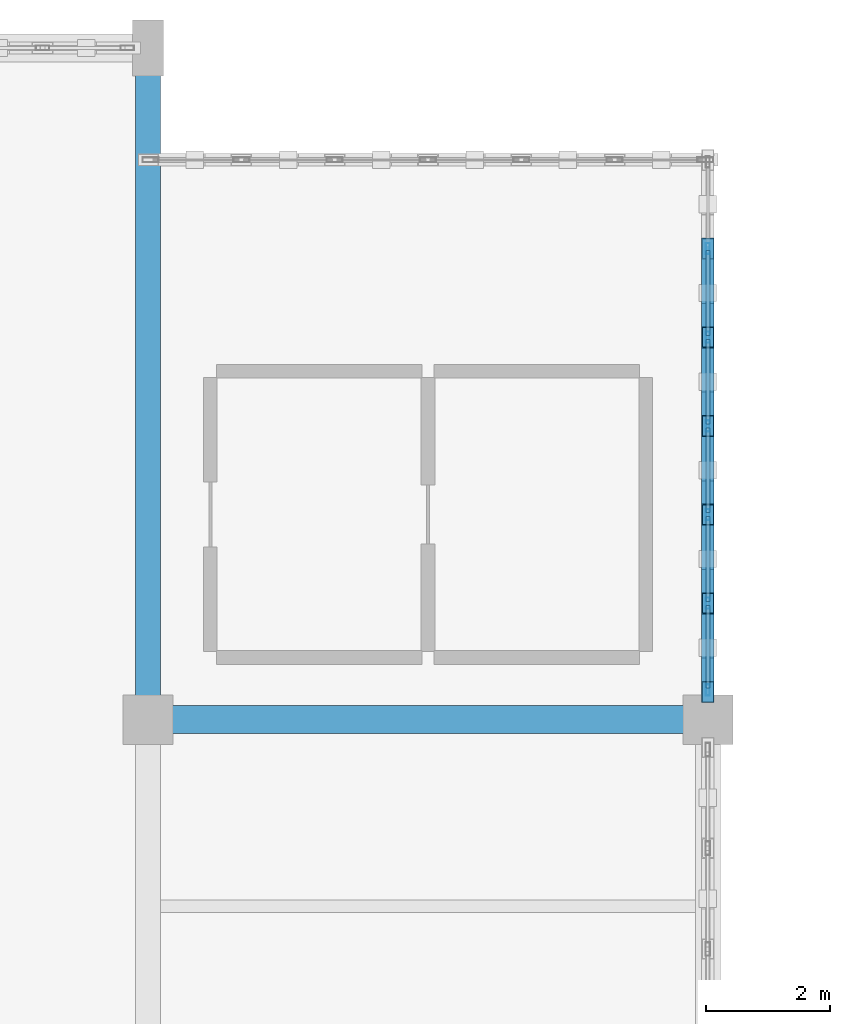
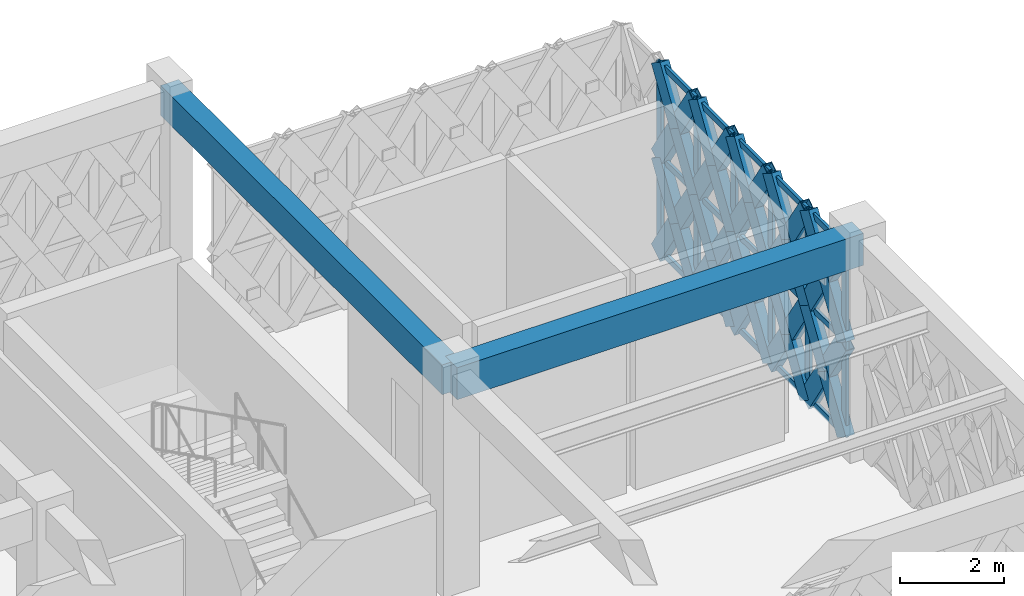
# One storey, part 42 of 86: 51 members, 2 beams, 1 element without a shape of its own.
"""IFC4 building model written with IfcOpenShell, lengths in metres."""

import ifcopenshell
import ifcopenshell.guid

model = None  # the IFC model being written
_history = None  # IfcOwnerHistory: only IFC2X3 demands one
_inside = {}  # id of a spatial element -> (the spatial element, [elements in it])
_under = {}  # id of a project, library or spatial element -> (it, [spatial elements below it])
_declared = {}  # id of a project -> (the project, [libraries it declares])
_typed = {}  # id of a type object -> (the type object, [elements of that type])
_made_of = {}  # id of a material, layer set ... -> (it, [elements and type objects made of it])


def new_model(schema):
    """Start an empty IFC model of exactly this schema.

    Asked for "IFC4X3", IfcOpenShell would pick the latest addendum, in which some entities
    have other attributes; the version numbers below select the first issue.
    IFC2X3 requires an IfcOwnerHistory on every rooted entity: one is made here for all.
    """
    global model, _history
    if schema == "IFC4X3":
        model = ifcopenshell.file(schema_version=(4, 3, 0, 0))
    else:
        model = ifcopenshell.file(schema=schema)
    _inside.clear()
    _under.clear()
    _declared.clear()
    _typed.clear()
    _made_of.clear()
    _history = None
    if model.schema == "IFC2X3":
        org = make("IfcOrganization", Name="unknown")
        user = make(
            "IfcPersonAndOrganization",
            ThePerson=make("IfcPerson", FamilyName="unknown"),
            TheOrganization=org,
        )
        app = make(
            "IfcApplication",
            ApplicationDeveloper=org,
            Version="unknown",
            ApplicationFullName="unknown",
            ApplicationIdentifier="unknown",
        )
        _history = make(
            "IfcOwnerHistory",
            OwningUser=user,
            OwningApplication=app,
            ChangeAction="ADDED",
            CreationDate=0,
        )
    return model


def make(cls, **values):
    """One entity of the class cls with the attributes given. An attribute that is None is left unset."""
    return model.create_entity(
        cls, **{name: value for name, value in values.items() if value is not None}
    )


def rooted(cls, **values):
    """An entity with a GlobalId (a new one), such as an element, a storey or a relation."""
    return make(cls, GlobalId=ifcopenshell.guid.new(), OwnerHistory=_history, **values)


def si_unit(unit_type, name, prefix=None):
    """IfcSIUnit, for example si_unit("LENGTHUNIT", "METRE", prefix="MILLI")."""
    return make("IfcSIUnit", UnitType=unit_type, Prefix=prefix, Name=name)


def assignment(units):
    """IfcUnitAssignment: the units of a project."""
    return None if units is None else make("IfcUnitAssignment", Units=units)


def point(xyz):
    """IfcCartesianPoint."""
    return None if xyz is None else make("IfcCartesianPoint", Coordinates=xyz)


def direction(xyz):
    """IfcDirection."""
    return None if xyz is None else make("IfcDirection", DirectionRatios=xyz)


def frame(location, z_axis=None, x_axis=None):
    """IfcAxis2Placement3D, a coordinate frame: its origin and axes. An axis left out is left unset."""
    return make(
        "IfcAxis2Placement3D",
        Location=point(location),
        Axis=direction(z_axis),
        RefDirection=direction(x_axis),
    )


def frame_2d(location, x_axis=None):
    """IfcAxis2Placement2D, a coordinate frame in the plane: its origin and x axis."""
    return make(
        "IfcAxis2Placement2D", Location=point(location), RefDirection=direction(x_axis)
    )


def origin():
    """The frame at (0, 0, 0) with its axes left unset."""
    return frame((0.0, 0.0, 0.0))


def origin_2d():
    """The frame at (0, 0) in the plane with its x axis left unset."""
    return frame_2d((0.0, 0.0))


def place(relative_to, where):
    """IfcLocalPlacement: puts the frame where relative to a parent placement (None: the world)."""
    return make(
        "IfcLocalPlacement", PlacementRelTo=relative_to, RelativePlacement=where
    )


def context(
    kind, dimensions, precision=None, world=None, true_north=None, identifier=None
):
    """IfcGeometricRepresentationContext, for example the 3D "Model" context."""
    return make(
        "IfcGeometricRepresentationContext",
        ContextIdentifier=identifier,
        ContextType=kind,
        CoordinateSpaceDimension=dimensions,
        Precision=precision,
        WorldCoordinateSystem=world,
        TrueNorth=true_north,
    )


def subcontext(parent, identifier, kind, view, scale=None):
    """IfcGeometricRepresentationSubContext, for example "Body" below "Model"."""
    return make(
        "IfcGeometricRepresentationSubContext",
        ContextIdentifier=identifier,
        ContextType=kind,
        ParentContext=parent,
        TargetScale=scale,
        TargetView=view,
    )


def project(units=None, contexts=None):
    """IfcProject with its units and contexts."""
    return rooted(
        "IfcProject",
        Name="project",
        RepresentationContexts=contexts,
        UnitsInContext=assignment(units),
    )


def spatial(cls, under=None, at=None, **own):
    """A site, building, storey or space (cls), placed at a placement, below another one or the project."""
    s = rooted(cls, ObjectPlacement=at, **own)
    if under is not None:
        _under.setdefault(under.id(), (under, []))[1].append(s)
    return s


def profile(cls, at=None, kind="AREA", **sizes):
    """A parametric profile (cls). Its sizes go by their IFC names, for example OverallWidth=200.0."""
    return make(cls, ProfileType=kind, Position=at, **sizes)


def rectangle(**sizes):
    """IfcRectangleProfileDef."""
    return profile("IfcRectangleProfileDef", **sizes)


def hollow_rectangle(**sizes):
    """IfcRectangleHollowProfileDef."""
    return profile("IfcRectangleHollowProfileDef", **sizes)


def extrude(swept, where, along, depth):
    """IfcExtrudedAreaSolid: the profile swept, set in the frame where, extruded along a direction by depth."""
    return make(
        "IfcExtrudedAreaSolid",
        SweptArea=swept,
        Position=where,
        ExtrudedDirection=direction(along),
        Depth=depth,
    )


def shape(context_of_items, identifier, shape_type, items):
    """IfcShapeRepresentation: the items that make up one representation, for example the "Body"."""
    return make(
        "IfcShapeRepresentation",
        ContextOfItems=context_of_items,
        RepresentationIdentifier=identifier,
        RepresentationType=shape_type,
        Items=items,
    )


def material(Name=None, Category=None):
    """IfcMaterial."""
    return make("IfcMaterial", Name=Name, Category=Category)


def material_profile(
    of_material, cross_section, Name=None, Category=None, Priority=None
):
    """IfcMaterialProfile: a cross section and its material."""
    return make(
        "IfcMaterialProfile",
        Name=Name,
        Material=of_material,
        Profile=cross_section,
        Priority=Priority,
        Category=Category,
    )


def profile_set(profiles, Name=None, composite=None):
    """IfcMaterialProfileSet."""
    return make(
        "IfcMaterialProfileSet",
        Name=Name,
        MaterialProfiles=profiles,
        CompositeProfile=composite,
    )


def made_of(thing, what):
    """Note that an element or type object is made of a material, layer set ...; save() writes the relation."""
    if what is not None:
        _made_of.setdefault(what.id(), (what, []))[1].append(thing)
    return thing


def type_object(cls, material=None, **own):
    """A type object (cls), such as IfcWallType, which elements share."""
    return made_of(rooted(cls, **own), material)


def element(
    cls,
    number,
    at=None,
    inside=None,
    cuts=None,
    type_object=None,
    material=None,
    context=None,
    identifier="Body",
    shape_type=None,
    held_by="IfcProductDefinitionShape",
    body=None,
    shapes=None,
    **own,
):
    """One element of the class cls, such as IfcWall. Its Tag is "e" and its number.

    at: its placement. inside: the storey or other place that contains it. cuts: it is an
    opening in that element (IfcRelVoidsElement). A single representation is given by context,
    identifier, shape_type and body (its items); several are given by shapes. held_by: the class
    of the entity that holds the representations. save() writes the other relations.
    """
    e = rooted(cls, Tag="e%d" % number, ObjectPlacement=at, **own)
    if body is not None:
        shapes = [shape(context, identifier, shape_type, body)]
    if shapes is not None:
        e.Representation = make(held_by, Representations=shapes)
    if inside is not None:
        _inside.setdefault(inside.id(), (inside, []))[1].append(e)
    if cuts is not None:
        rooted(
            "IfcRelVoidsElement", RelatingBuildingElement=cuts, RelatedOpeningElement=e
        )
    if type_object is not None:
        _typed.setdefault(type_object.id(), (type_object, []))[1].append(e)
    return made_of(e, material)


def aggregate(whole, parts):
    """IfcRelAggregates: a whole, such as a stair, and the parts it consists of."""
    return rooted("IfcRelAggregates", RelatingObject=whole, RelatedObjects=parts)


def save(model, path):
    """Write the relations noted so far, then the file.

    IfcRelAggregates (storeys below a building ...), IfcRelContainedInSpatialStructure (elements
    in a storey), IfcRelDefinesByType, IfcRelAssociatesMaterial and IfcRelDeclares: one each for
    every whole, place, type object, material and project.
    """
    for whole, parts in _under.values():
        aggregate(whole, parts)
    for where, things in _inside.values():
        rooted(
            "IfcRelContainedInSpatialStructure",
            RelatedElements=things,
            RelatingStructure=where,
        )
    for kind, things in _typed.values():
        rooted("IfcRelDefinesByType", RelatedObjects=things, RelatingType=kind)
    for what, things in _made_of.values():
        rooted("IfcRelAssociatesMaterial", RelatedObjects=things, RelatingMaterial=what)
    for by, libraries in _declared.values():
        rooted("IfcRelDeclares", RelatingContext=by, RelatedDefinitions=libraries)
    model.write(path)


model = new_model("IFC4")

# Units and contexts
model_context = context("Model", 3, precision=1e-05, world=origin(), true_north=direction((0.0, 1.0)))
body_context = subcontext(model_context, "Body", "Model", "MODEL_VIEW")
ifc_project = project(units=[si_unit("LENGTHUNIT", "METRE"), si_unit("AREAUNIT", "SQUARE_METRE"), si_unit("VOLUMEUNIT", "CUBIC_METRE"), si_unit("PLANEANGLEUNIT", "RADIAN"), si_unit("MASSUNIT", "GRAM", prefix="KILO")], contexts=[model_context])

# Site, building, storey
site_placement = place(None, origin())
site = spatial("IfcSite", under=ifc_project, at=site_placement, CompositionType="ELEMENT")
building_placement = place(site_placement, origin())
building = spatial("IfcBuilding", under=site, at=building_placement, Name="Haizhuo Lancet Aquarium", CompositionType="ELEMENT")
storey_placement = place(building_placement, frame((0.0, 0.0, 16.199951171875)))
storey = spatial("IfcBuildingStorey", under=building, at=storey_placement, Name="L03", CompositionType="ELEMENT", Elevation=16.199951171875)

# Beams
ifc_material_1 = material(Name="Concrete C40/50", Category="concrete")
ifc_material_profile_1 = material_profile(ifc_material_1, rectangle(XDim=0.39990234375, YDim=0.699951171875, at=origin_2d()), Name="RC-BM 400x700")
ifc_profile_set_1 = profile_set([ifc_material_profile_1], Name="Concrete C40/50")
beam_type_1 = type_object("IfcBeamType", Name="BM-RC-400x700", PredefinedType="BEAM", material=ifc_profile_set_1)
beam_1_placement = place(storey_placement, frame((18.0, 45.0, 4.800048828125), z_axis=(0.0, 1.0, 0.0), x_axis=(-1.0, 0.0, 0.0)))
element("IfcBeam", 1, at=beam_1_placement, inside=storey, type_object=beam_type_1, Name="L03 V5 primary girder BM-L03-V5-023", PredefinedType="BEAM", context=body_context, shape_type="SweptSolid", body=[
    extrude(rectangle(XDim=0.39990234375, YDim=0.699951171875, at=origin_2d()), origin(), (0.0, 0.0, 1.0), 10.800048828125),
])
ifc_material_profile_2 = material_profile(ifc_material_1, rectangle(XDim=0.449951171875, YDim=0.75, at=origin_2d()), Name="RC-BM 450x750")
ifc_profile_set_2 = profile_set([ifc_material_profile_2], Name="Concrete C40/50")
beam_type_2 = type_object("IfcBeamType", Name="BM-RC-450x750", PredefinedType="BEAM", material=ifc_profile_set_2)
beam_2_placement = place(storey_placement, frame((18.0, 45.0, 4.775146484375), z_axis=(1.0, 0.0, 0.0), x_axis=(0.0, 1.0, 0.0)))
element("IfcBeam", 2, at=beam_2_placement, inside=storey, type_object=beam_type_2, Name="L03 V5 primary girder BM-L03-V5-024", PredefinedType="BEAM", context=body_context, shape_type="SweptSolid", body=[
    extrude(rectangle(XDim=0.449951171875, YDim=0.75, at=origin_2d()), origin(), (0.0, 0.0, 1.0), 9.0),
])

# Curtain wall, members
ifc_material_2 = material(Name="Aluminium 6063-T6", Category="aluminium")
curtain_wall_type = type_object("IfcCurtainWallType", Name="CWD-8560x4450", PredefinedType="NOTDEFINED", material=ifc_material_2)
curtain_wall_placement = place(storey_placement, origin())
curtain_wall = element("IfcCurtainWall", 3, at=curtain_wall_placement, inside=storey, type_object=curtain_wall_type, Name="L03 curtain wall CW-V5-L03-166", PredefinedType="NOTDEFINED")
ifc_material_profile_3 = material_profile(ifc_material_2, hollow_rectangle(XDim=0.06494140625, YDim=0.179931640625, WallThickness=0.00390625, at=origin_2d()), Name="ALU-M 65x180x4")
ifc_profile_set_3 = profile_set([ifc_material_profile_3], Name="Aluminium 6063-T6")
member_type_1 = type_object("IfcMemberType", Name="CW-MUL-1", PredefinedType="MULLION", material=ifc_profile_set_3)
member_1_placement = place(storey_placement, frame((27.0, 52.573974609375, 0.0), z_axis=(0.0, 0.0, 1.0), x_axis=(1.0, 0.0, 0.0)))
member_1 = element("IfcMember", 4, at=member_1_placement, type_object=member_type_1, Name="CWD-85x44 mullion 2", PredefinedType="MULLION", context=body_context, shape_type="SweptSolid", body=[
    extrude(hollow_rectangle(XDim=0.06494140625, YDim=0.179931640625, WallThickness=0.00390625, at=origin_2d()), origin(), (0.0, 0.0, 1.0), 4.449951171875),
])
member_2_placement = place(storey_placement, frame((27.0, 51.14794921875, 0.0), z_axis=(0.0, 0.0, 1.0), x_axis=(1.0, 0.0, 0.0)))
member_2 = element("IfcMember", 5, at=member_2_placement, type_object=member_type_1, Name="CWD-85x44 mullion 3", PredefinedType="MULLION", context=body_context, shape_type="SweptSolid", body=[
    extrude(hollow_rectangle(XDim=0.06494140625, YDim=0.179931640625, WallThickness=0.00390625, at=origin_2d()), origin(), (0.0, 0.0, 1.0), 4.449951171875),
])
member_3_placement = place(storey_placement, frame((27.0, 49.721923828125, 0.0), z_axis=(0.0, 0.0, 1.0), x_axis=(1.0, 0.0, 0.0)))
member_3 = element("IfcMember", 6, at=member_3_placement, type_object=member_type_1, Name="CWD-85x44 mullion 4", PredefinedType="MULLION", context=body_context, shape_type="SweptSolid", body=[
    extrude(hollow_rectangle(XDim=0.06494140625, YDim=0.179931640625, WallThickness=0.00390625, at=origin_2d()), origin(), (0.0, 0.0, 1.0), 4.449951171875),
])
member_4_placement = place(storey_placement, frame((27.0, 48.297119140625, 0.0), z_axis=(0.0, 0.0, 1.0), x_axis=(1.0, 0.0, 0.0)))
member_4 = element("IfcMember", 7, at=member_4_placement, type_object=member_type_1, Name="CWD-85x44 mullion 5", PredefinedType="MULLION", context=body_context, shape_type="SweptSolid", body=[
    extrude(hollow_rectangle(XDim=0.06494140625, YDim=0.179931640625, WallThickness=0.00390625, at=origin_2d()), origin(), (0.0, 0.0, 1.0), 4.449951171875),
])
member_5_placement = place(storey_placement, frame((27.0, 46.87109375, 0.0), z_axis=(0.0, 0.0, 1.0), x_axis=(1.0, 0.0, 0.0)))
member_5 = element("IfcMember", 8, at=member_5_placement, type_object=member_type_1, Name="CWD-85x44 mullion 6", PredefinedType="MULLION", context=body_context, shape_type="SweptSolid", body=[
    extrude(hollow_rectangle(XDim=0.06494140625, YDim=0.179931640625, WallThickness=0.00390625, at=origin_2d()), origin(), (0.0, 0.0, 1.0), 4.449951171875),
])
member_6_placement = place(storey_placement, frame((27.0, 45.47705078125, 0.0), z_axis=(0.0, 0.0, 1.0), x_axis=(1.0, 0.0, 0.0)))
member_6 = element("IfcMember", 9, at=member_6_placement, type_object=member_type_1, Name="CWD-85x44 mullion 7", PredefinedType="MULLION", context=body_context, shape_type="SweptSolid", body=[
    extrude(hollow_rectangle(XDim=0.06494140625, YDim=0.179931640625, WallThickness=0.00390625, at=origin_2d()), origin(), (0.0, 0.0, 1.0), 4.449951171875),
])
ifc_material_profile_4 = material_profile(ifc_material_2, hollow_rectangle(XDim=0.06494140625, YDim=0.139892578125, WallThickness=0.00390625, at=origin_2d()), Name="ALU-T 65x140x4")
ifc_profile_set_4 = profile_set([ifc_material_profile_4], Name="Aluminium 6063-T6")
member_type_2 = type_object("IfcMemberType", Name="CW-TRN-1", PredefinedType="NOTDEFINED", material=ifc_profile_set_4)
member_7_placement = place(storey_placement, frame((27.0, 52.5419921875, 0.031982421875), z_axis=(0.0, -1.0, 0.0), x_axis=(1.0, 0.0, 0.0)))
member_7 = element("IfcMember", 10, at=member_7_placement, type_object=member_type_2, Name="CWD-85x44 transom 2.1", ObjectType="TRANSOM", PredefinedType="USERDEFINED", context=body_context, shape_type="SweptSolid", body=[
    extrude(hollow_rectangle(XDim=0.06494140625, YDim=0.139892578125, WallThickness=0.00390625, at=origin_2d()), origin(), (0.0, 0.0, 1.0), 1.361083984375),
])
member_8_placement = place(storey_placement, frame((27.0, 52.5419921875, 2.22509765625), z_axis=(0.0, -1.0, 0.0), x_axis=(1.0, 0.0, 0.0)))
member_8 = element("IfcMember", 11, at=member_8_placement, type_object=member_type_2, Name="CWD-85x44 transom 2.2", ObjectType="TRANSOM", PredefinedType="USERDEFINED", context=body_context, shape_type="SweptSolid", body=[
    extrude(hollow_rectangle(XDim=0.06494140625, YDim=0.139892578125, WallThickness=0.00390625, at=origin_2d()), origin(), (0.0, 0.0, 1.0), 1.361083984375),
])
member_9_placement = place(storey_placement, frame((27.0, 52.5419921875, 4.4169921875), z_axis=(0.0, -1.0, 0.0), x_axis=(1.0, 0.0, 0.0)))
member_9 = element("IfcMember", 12, at=member_9_placement, type_object=member_type_2, Name="CWD-85x44 transom 2.3", ObjectType="TRANSOM", PredefinedType="USERDEFINED", context=body_context, shape_type="SweptSolid", body=[
    extrude(hollow_rectangle(XDim=0.06494140625, YDim=0.139892578125, WallThickness=0.00390625, at=origin_2d()), origin(), (0.0, 0.0, 1.0), 1.361083984375),
])
member_10_placement = place(storey_placement, frame((27.0, 51.115966796875, 0.031982421875), z_axis=(0.0, -1.0, 0.0), x_axis=(1.0, 0.0, 0.0)))
member_10 = element("IfcMember", 13, at=member_10_placement, type_object=member_type_2, Name="CWD-85x44 transom 3.1", ObjectType="TRANSOM", PredefinedType="USERDEFINED", context=body_context, shape_type="SweptSolid", body=[
    extrude(hollow_rectangle(XDim=0.06494140625, YDim=0.139892578125, WallThickness=0.00390625, at=origin_2d()), origin(), (0.0, 0.0, 1.0), 1.361083984375),
])
member_11_placement = place(storey_placement, frame((27.0, 51.115966796875, 2.22509765625), z_axis=(0.0, -1.0, 0.0), x_axis=(1.0, 0.0, 0.0)))
member_11 = element("IfcMember", 14, at=member_11_placement, type_object=member_type_2, Name="CWD-85x44 transom 3.2", ObjectType="TRANSOM", PredefinedType="USERDEFINED", context=body_context, shape_type="SweptSolid", body=[
    extrude(hollow_rectangle(XDim=0.06494140625, YDim=0.139892578125, WallThickness=0.00390625, at=origin_2d()), origin(), (0.0, 0.0, 1.0), 1.361083984375),
])
member_12_placement = place(storey_placement, frame((27.0, 51.115966796875, 4.4169921875), z_axis=(0.0, -1.0, 0.0), x_axis=(1.0, 0.0, 0.0)))
member_12 = element("IfcMember", 15, at=member_12_placement, type_object=member_type_2, Name="CWD-85x44 transom 3.3", ObjectType="TRANSOM", PredefinedType="USERDEFINED", context=body_context, shape_type="SweptSolid", body=[
    extrude(hollow_rectangle(XDim=0.06494140625, YDim=0.139892578125, WallThickness=0.00390625, at=origin_2d()), origin(), (0.0, 0.0, 1.0), 1.361083984375),
])
member_13_placement = place(storey_placement, frame((27.0, 49.68994140625, 0.031982421875), z_axis=(0.0, -1.0, 0.0), x_axis=(1.0, 0.0, 0.0)))
member_13 = element("IfcMember", 16, at=member_13_placement, type_object=member_type_2, Name="CWD-85x44 transom 4.1", ObjectType="TRANSOM", PredefinedType="USERDEFINED", context=body_context, shape_type="SweptSolid", body=[
    extrude(hollow_rectangle(XDim=0.06494140625, YDim=0.139892578125, WallThickness=0.00390625, at=origin_2d()), origin(), (0.0, 0.0, 1.0), 1.36083984375),
])
member_14_placement = place(storey_placement, frame((27.0, 49.68994140625, 2.22509765625), z_axis=(0.0, -1.0, 0.0), x_axis=(1.0, 0.0, 0.0)))
member_14 = element("IfcMember", 17, at=member_14_placement, type_object=member_type_2, Name="CWD-85x44 transom 4.2", ObjectType="TRANSOM", PredefinedType="USERDEFINED", context=body_context, shape_type="SweptSolid", body=[
    extrude(hollow_rectangle(XDim=0.06494140625, YDim=0.139892578125, WallThickness=0.00390625, at=origin_2d()), origin(), (0.0, 0.0, 1.0), 1.36083984375),
])
member_15_placement = place(storey_placement, frame((27.0, 49.68994140625, 4.4169921875), z_axis=(0.0, -1.0, 0.0), x_axis=(1.0, 0.0, 0.0)))
member_15 = element("IfcMember", 18, at=member_15_placement, type_object=member_type_2, Name="CWD-85x44 transom 4.3", ObjectType="TRANSOM", PredefinedType="USERDEFINED", context=body_context, shape_type="SweptSolid", body=[
    extrude(hollow_rectangle(XDim=0.06494140625, YDim=0.139892578125, WallThickness=0.00390625, at=origin_2d()), origin(), (0.0, 0.0, 1.0), 1.36083984375),
])
member_16_placement = place(storey_placement, frame((27.0, 48.263916015625, 0.031982421875), z_axis=(0.0, -1.0, 0.0), x_axis=(1.0, 0.0, 0.0)))
member_16 = element("IfcMember", 19, at=member_16_placement, type_object=member_type_2, Name="CWD-85x44 transom 5.1", ObjectType="TRANSOM", PredefinedType="USERDEFINED", context=body_context, shape_type="SweptSolid", body=[
    extrude(hollow_rectangle(XDim=0.06494140625, YDim=0.139892578125, WallThickness=0.00390625, at=origin_2d()), origin(), (0.0, 0.0, 1.0), 1.36083984375),
])
member_17_placement = place(storey_placement, frame((27.0, 48.263916015625, 2.22509765625), z_axis=(0.0, -1.0, 0.0), x_axis=(1.0, 0.0, 0.0)))
member_17 = element("IfcMember", 20, at=member_17_placement, type_object=member_type_2, Name="CWD-85x44 transom 5.2", ObjectType="TRANSOM", PredefinedType="USERDEFINED", context=body_context, shape_type="SweptSolid", body=[
    extrude(hollow_rectangle(XDim=0.06494140625, YDim=0.139892578125, WallThickness=0.00390625, at=origin_2d()), origin(), (0.0, 0.0, 1.0), 1.36083984375),
])
member_18_placement = place(storey_placement, frame((27.0, 48.263916015625, 4.4169921875), z_axis=(0.0, -1.0, 0.0), x_axis=(1.0, 0.0, 0.0)))
member_18 = element("IfcMember", 21, at=member_18_placement, type_object=member_type_2, Name="CWD-85x44 transom 5.3", ObjectType="TRANSOM", PredefinedType="USERDEFINED", context=body_context, shape_type="SweptSolid", body=[
    extrude(hollow_rectangle(XDim=0.06494140625, YDim=0.139892578125, WallThickness=0.00390625, at=origin_2d()), origin(), (0.0, 0.0, 1.0), 1.36083984375),
])
member_19_placement = place(storey_placement, frame((27.0, 46.837890625, 0.031982421875), z_axis=(0.0, -1.0, 0.0), x_axis=(1.0, 0.0, 0.0)))
member_19 = element("IfcMember", 22, at=member_19_placement, type_object=member_type_2, Name="CWD-85x44 transom 6.1", ObjectType="TRANSOM", PredefinedType="USERDEFINED", context=body_context, shape_type="SweptSolid", body=[
    extrude(hollow_rectangle(XDim=0.06494140625, YDim=0.139892578125, WallThickness=0.00390625, at=origin_2d()), origin(), (0.0, 0.0, 1.0), 1.327880859375),
])
member_20_placement = place(storey_placement, frame((27.0, 46.837890625, 2.22509765625), z_axis=(0.0, -1.0, 0.0), x_axis=(1.0, 0.0, 0.0)))
member_20 = element("IfcMember", 23, at=member_20_placement, type_object=member_type_2, Name="CWD-85x44 transom 6.2", ObjectType="TRANSOM", PredefinedType="USERDEFINED", context=body_context, shape_type="SweptSolid", body=[
    extrude(hollow_rectangle(XDim=0.06494140625, YDim=0.139892578125, WallThickness=0.00390625, at=origin_2d()), origin(), (0.0, 0.0, 1.0), 1.327880859375),
])
member_21_placement = place(storey_placement, frame((27.0, 46.837890625, 4.4169921875), z_axis=(0.0, -1.0, 0.0), x_axis=(1.0, 0.0, 0.0)))
member_21 = element("IfcMember", 24, at=member_21_placement, type_object=member_type_2, Name="CWD-85x44 transom 6.3", ObjectType="TRANSOM", PredefinedType="USERDEFINED", context=body_context, shape_type="SweptSolid", body=[
    extrude(hollow_rectangle(XDim=0.06494140625, YDim=0.139892578125, WallThickness=0.00390625, at=origin_2d()), origin(), (0.0, 0.0, 1.0), 1.327880859375),
])
aggregate(curtain_wall, [member_1, member_2, member_3, member_4, member_5, member_6, member_7, member_8, member_9, member_10, member_11, member_12, member_13, member_14, member_15, member_16, member_17, member_18, member_19, member_20, member_21])

# Members
ifc_material_3 = material(Name="Steel S355", Category="steel")
ifc_material_profile_5 = material_profile(ifc_material_3, hollow_rectangle(XDim=0.199951171875, YDim=0.39990234375, WallThickness=0.011962890625, at=origin_2d()), Name="RHS 200x400x12")
ifc_profile_set_5 = profile_set([ifc_material_profile_5], Name="Steel S355")
member_type_3 = type_object("IfcMemberType", Name="MEM-LB-RHS200x400", PredefinedType="BRACE", material=ifc_profile_set_5)
member_22_placement = place(storey_placement, frame((27.0, 52.573974609375, 0.0), z_axis=(0.0, -0.539580492151, 0.841934019083), x_axis=(1.0, 0.0, 0.0)))
element("IfcMember", 25, at=member_22_placement, inside=storey, type_object=member_type_3, Name="Gothic lancet continuous diagonal brace CW-V5-L03-166 3A", PredefinedType="BRACE", context=body_context, shape_type="SweptSolid", body=[
    extrude(hollow_rectangle(XDim=0.199951171875, YDim=0.39990234375, WallThickness=0.011962890625, at=origin_2d()), origin(), (0.0, 0.0, 1.0), 2.642822265625),
])
member_23_placement = place(storey_placement, frame((27.0, 51.14794921875, 0.0), z_axis=(0.0, 0.539813881097, 0.841784398629), x_axis=(-1.0, 0.0, 0.0)))
element("IfcMember", 26, at=member_23_placement, inside=storey, type_object=member_type_3, Name="Gothic lancet split diagonal brace CW-V5-L03-166 3B1", PredefinedType="BRACE", context=body_context, shape_type="SweptSolid", body=[
    extrude(hollow_rectangle(XDim=0.199951171875, YDim=0.39990234375, WallThickness=0.011962890625, at=origin_2d()), origin(), (0.0, 0.0, 1.0), 1.321044921875),
])
member_24_placement = place(storey_placement, frame((27.0, 51.861083984375, 1.112060546875), z_axis=(0.0, 0.539347183686, 0.842083496721), x_axis=(-1.0, 0.0, 0.0)))
element("IfcMember", 27, at=member_24_placement, inside=storey, type_object=member_type_3, Name="Gothic lancet split diagonal brace CW-V5-L03-166 3B2", PredefinedType="BRACE", context=body_context, shape_type="SweptSolid", body=[
    extrude(hollow_rectangle(XDim=0.199951171875, YDim=0.39990234375, WallThickness=0.011962890625, at=origin_2d()), origin(), (0.0, 0.0, 1.0), 1.32177734375),
])
member_25_placement = place(storey_placement, frame((27.0, 52.573974609375, 2.22509765625), z_axis=(0.0, -0.539622461301, 0.841907120328), x_axis=(1.0, 0.0, 0.0)))
element("IfcMember", 28, at=member_25_placement, inside=storey, type_object=member_type_3, Name="Gothic lancet continuous diagonal brace CW-V5-L03-166 4A", PredefinedType="BRACE", context=body_context, shape_type="SweptSolid", body=[
    extrude(hollow_rectangle(XDim=0.199951171875, YDim=0.39990234375, WallThickness=0.011962890625, at=origin_2d()), origin(), (0.0, 0.0, 1.0), 2.642578125),
])
member_26_placement = place(storey_placement, frame((27.0, 51.14794921875, 2.22509765625), z_axis=(0.0, 0.539478141367, 0.841999605099), x_axis=(-1.0, 0.0, 0.0)))
element("IfcMember", 29, at=member_26_placement, inside=storey, type_object=member_type_3, Name="Gothic lancet split diagonal brace CW-V5-L03-166 4B1", PredefinedType="BRACE", context=body_context, shape_type="SweptSolid", body=[
    extrude(hollow_rectangle(XDim=0.199951171875, YDim=0.39990234375, WallThickness=0.011962890625, at=origin_2d()), origin(), (0.0, 0.0, 1.0), 1.32177734375),
])
member_27_placement = place(storey_placement, frame((27.0, 51.861083984375, 3.338134765625), z_axis=(0.0, 0.539766892056, 0.841814529597), x_axis=(-1.0, 0.0, 0.0)))
element("IfcMember", 30, at=member_27_placement, inside=storey, type_object=member_type_3, Name="Gothic lancet split diagonal brace CW-V5-L03-166 4B2", PredefinedType="BRACE", context=body_context, shape_type="SweptSolid", body=[
    extrude(hollow_rectangle(XDim=0.199951171875, YDim=0.39990234375, WallThickness=0.011962890625, at=origin_2d()), origin(), (0.0, 0.0, 1.0), 1.32080078125),
])
member_28_placement = place(storey_placement, frame((27.0, 51.14794921875, 0.0), z_axis=(0.0, -0.539580492151, 0.841934019083), x_axis=(1.0, 0.0, 0.0)))
element("IfcMember", 31, at=member_28_placement, inside=storey, type_object=member_type_3, Name="Gothic lancet continuous diagonal brace CW-V5-L03-166 5A", PredefinedType="BRACE", context=body_context, shape_type="SweptSolid", body=[
    extrude(hollow_rectangle(XDim=0.199951171875, YDim=0.39990234375, WallThickness=0.011962890625, at=origin_2d()), origin(), (0.0, 0.0, 1.0), 2.642822265625),
])
member_29_placement = place(storey_placement, frame((27.0, 49.721923828125, 0.0), z_axis=(0.0, 0.539813881097, 0.841784398629), x_axis=(-1.0, 0.0, 0.0)))
element("IfcMember", 32, at=member_29_placement, inside=storey, type_object=member_type_3, Name="Gothic lancet split diagonal brace CW-V5-L03-166 5B1", PredefinedType="BRACE", context=body_context, shape_type="SweptSolid", body=[
    extrude(hollow_rectangle(XDim=0.199951171875, YDim=0.39990234375, WallThickness=0.011962890625, at=origin_2d()), origin(), (0.0, 0.0, 1.0), 1.321044921875),
])
member_30_placement = place(storey_placement, frame((27.0, 50.43505859375, 1.112060546875), z_axis=(0.0, 0.539347183686, 0.842083496721), x_axis=(-1.0, 0.0, 0.0)))
element("IfcMember", 33, at=member_30_placement, inside=storey, type_object=member_type_3, Name="Gothic lancet split diagonal brace CW-V5-L03-166 5B2", PredefinedType="BRACE", context=body_context, shape_type="SweptSolid", body=[
    extrude(hollow_rectangle(XDim=0.199951171875, YDim=0.39990234375, WallThickness=0.011962890625, at=origin_2d()), origin(), (0.0, 0.0, 1.0), 1.32177734375),
])
member_31_placement = place(storey_placement, frame((27.0, 51.14794921875, 2.22509765625), z_axis=(0.0, -0.539622461301, 0.841907120328), x_axis=(1.0, 0.0, 0.0)))
element("IfcMember", 34, at=member_31_placement, inside=storey, type_object=member_type_3, Name="Gothic lancet continuous diagonal brace CW-V5-L03-166 6A", PredefinedType="BRACE", context=body_context, shape_type="SweptSolid", body=[
    extrude(hollow_rectangle(XDim=0.199951171875, YDim=0.39990234375, WallThickness=0.011962890625, at=origin_2d()), origin(), (0.0, 0.0, 1.0), 2.642578125),
])
member_32_placement = place(storey_placement, frame((27.0, 49.721923828125, 2.22509765625), z_axis=(0.0, 0.539478141367, 0.841999605099), x_axis=(-1.0, 0.0, 0.0)))
element("IfcMember", 35, at=member_32_placement, inside=storey, type_object=member_type_3, Name="Gothic lancet split diagonal brace CW-V5-L03-166 6B1", PredefinedType="BRACE", context=body_context, shape_type="SweptSolid", body=[
    extrude(hollow_rectangle(XDim=0.199951171875, YDim=0.39990234375, WallThickness=0.011962890625, at=origin_2d()), origin(), (0.0, 0.0, 1.0), 1.32177734375),
])
member_33_placement = place(storey_placement, frame((27.0, 50.43505859375, 3.338134765625), z_axis=(0.0, 0.539766892056, 0.841814529597), x_axis=(-1.0, 0.0, 0.0)))
element("IfcMember", 36, at=member_33_placement, inside=storey, type_object=member_type_3, Name="Gothic lancet split diagonal brace CW-V5-L03-166 6B2", PredefinedType="BRACE", context=body_context, shape_type="SweptSolid", body=[
    extrude(hollow_rectangle(XDim=0.199951171875, YDim=0.39990234375, WallThickness=0.011962890625, at=origin_2d()), origin(), (0.0, 0.0, 1.0), 1.32080078125),
])
member_34_placement = place(storey_placement, frame((27.0, 49.721923828125, 0.0), z_axis=(0.0, -0.539252957312, 0.842143840463), x_axis=(1.0, 0.0, 0.0)))
element("IfcMember", 37, at=member_34_placement, inside=storey, type_object=member_type_3, Name="Gothic lancet continuous diagonal brace CW-V5-L03-166 7A", PredefinedType="BRACE", context=body_context, shape_type="SweptSolid", body=[
    extrude(hollow_rectangle(XDim=0.199951171875, YDim=0.39990234375, WallThickness=0.011962890625, at=origin_2d()), origin(), (0.0, 0.0, 1.0), 2.64208984375),
])
member_35_placement = place(storey_placement, frame((27.0, 48.297119140625, 0.0), z_axis=(0.0, 0.539682908867, 0.841868373249), x_axis=(-1.0, 0.0, 0.0)))
element("IfcMember", 38, at=member_35_placement, inside=storey, type_object=member_type_3, Name="Gothic lancet split diagonal brace CW-V5-L03-166 7B1", PredefinedType="BRACE", context=body_context, shape_type="SweptSolid", body=[
    extrude(hollow_rectangle(XDim=0.199951171875, YDim=0.39990234375, WallThickness=0.011962890625, at=origin_2d()), origin(), (0.0, 0.0, 1.0), 1.321044921875),
])
member_36_placement = place(storey_placement, frame((27.0, 49.010009765625, 1.112060546875), z_axis=(0.0, 0.538822961455, 0.8424190265), x_axis=(-1.0, 0.0, 0.0)))
element("IfcMember", 39, at=member_36_placement, inside=storey, type_object=member_type_3, Name="Gothic lancet split diagonal brace CW-V5-L03-166 7B2", PredefinedType="BRACE", context=body_context, shape_type="SweptSolid", body=[
    extrude(hollow_rectangle(XDim=0.199951171875, YDim=0.39990234375, WallThickness=0.011962890625, at=origin_2d()), origin(), (0.0, 0.0, 1.0), 1.3212890625),
])
member_37_placement = place(storey_placement, frame((27.0, 49.721923828125, 2.22509765625), z_axis=(0.0, -0.539294921897, 0.842116967657), x_axis=(1.0, 0.0, 0.0)))
element("IfcMember", 40, at=member_37_placement, inside=storey, type_object=member_type_3, Name="Gothic lancet continuous diagonal brace CW-V5-L03-166 8A", PredefinedType="BRACE", context=body_context, shape_type="SweptSolid", body=[
    extrude(hollow_rectangle(XDim=0.199951171875, YDim=0.39990234375, WallThickness=0.011962890625, at=origin_2d()), origin(), (0.0, 0.0, 1.0), 2.64208984375),
])
member_38_placement = place(storey_placement, frame((27.0, 48.297119140625, 2.22509765625), z_axis=(0.0, 0.539347183686, 0.842083496721), x_axis=(-1.0, 0.0, 0.0)))
element("IfcMember", 41, at=member_38_placement, inside=storey, type_object=member_type_3, Name="Gothic lancet split diagonal brace CW-V5-L03-166 8B1", PredefinedType="BRACE", context=body_context, shape_type="SweptSolid", body=[
    extrude(hollow_rectangle(XDim=0.199951171875, YDim=0.39990234375, WallThickness=0.011962890625, at=origin_2d()), origin(), (0.0, 0.0, 1.0), 1.32177734375),
])
member_39_placement = place(storey_placement, frame((27.0, 49.010009765625, 3.338134765625), z_axis=(0.0, 0.539242596486, 0.842150474758), x_axis=(-1.0, 0.0, 0.0)))
element("IfcMember", 42, at=member_39_placement, inside=storey, type_object=member_type_3, Name="Gothic lancet split diagonal brace CW-V5-L03-166 8B2", PredefinedType="BRACE", context=body_context, shape_type="SweptSolid", body=[
    extrude(hollow_rectangle(XDim=0.199951171875, YDim=0.39990234375, WallThickness=0.011962890625, at=origin_2d()), origin(), (0.0, 0.0, 1.0), 1.3203125),
])
member_40_placement = place(storey_placement, frame((27.0, 48.297119140625, 0.0), z_axis=(0.0, -0.539580492151, 0.841934019083), x_axis=(1.0, 0.0, 0.0)))
element("IfcMember", 43, at=member_40_placement, inside=storey, type_object=member_type_3, Name="Gothic lancet continuous diagonal brace CW-V5-L03-166 9A", PredefinedType="BRACE", context=body_context, shape_type="SweptSolid", body=[
    extrude(hollow_rectangle(XDim=0.199951171875, YDim=0.39990234375, WallThickness=0.011962890625, at=origin_2d()), origin(), (0.0, 0.0, 1.0), 2.642822265625),
])
member_41_placement = place(storey_placement, frame((27.0, 46.87109375, 0.0), z_axis=(0.0, 0.539682908867, 0.841868373249), x_axis=(-1.0, 0.0, 0.0)))
element("IfcMember", 44, at=member_41_placement, inside=storey, type_object=member_type_3, Name="Gothic lancet split diagonal brace CW-V5-L03-166 9B1", PredefinedType="BRACE", context=body_context, shape_type="SweptSolid", body=[
    extrude(hollow_rectangle(XDim=0.199951171875, YDim=0.39990234375, WallThickness=0.011962890625, at=origin_2d()), origin(), (0.0, 0.0, 1.0), 1.321044921875),
])
member_42_placement = place(storey_placement, frame((27.0, 47.583984375, 1.112060546875), z_axis=(0.0, 0.539478141367, 0.841999605099), x_axis=(-1.0, 0.0, 0.0)))
element("IfcMember", 45, at=member_42_placement, inside=storey, type_object=member_type_3, Name="Gothic lancet split diagonal brace CW-V5-L03-166 9B2", PredefinedType="BRACE", context=body_context, shape_type="SweptSolid", body=[
    extrude(hollow_rectangle(XDim=0.199951171875, YDim=0.39990234375, WallThickness=0.011962890625, at=origin_2d()), origin(), (0.0, 0.0, 1.0), 1.32177734375),
])
member_43_placement = place(storey_placement, frame((27.0, 48.297119140625, 2.22509765625), z_axis=(0.0, -0.539622461301, 0.841907120328), x_axis=(1.0, 0.0, 0.0)))
element("IfcMember", 46, at=member_43_placement, inside=storey, type_object=member_type_3, Name="Gothic lancet continuous diagonal brace CW-V5-L03-166 10A", PredefinedType="BRACE", context=body_context, shape_type="SweptSolid", body=[
    extrude(hollow_rectangle(XDim=0.199951171875, YDim=0.39990234375, WallThickness=0.011962890625, at=origin_2d()), origin(), (0.0, 0.0, 1.0), 2.642578125),
])
member_44_placement = place(storey_placement, frame((27.0, 46.87109375, 2.22509765625), z_axis=(0.0, 0.539347183686, 0.842083496721), x_axis=(-1.0, 0.0, 0.0)))
element("IfcMember", 47, at=member_44_placement, inside=storey, type_object=member_type_3, Name="Gothic lancet split diagonal brace CW-V5-L03-166 10B1", PredefinedType="BRACE", context=body_context, shape_type="SweptSolid", body=[
    extrude(hollow_rectangle(XDim=0.199951171875, YDim=0.39990234375, WallThickness=0.011962890625, at=origin_2d()), origin(), (0.0, 0.0, 1.0), 1.32177734375),
])
member_45_placement = place(storey_placement, frame((27.0, 47.583984375, 3.338134765625), z_axis=(0.0, 0.539897867906, 0.841730534215), x_axis=(-1.0, 0.0, 0.0)))
element("IfcMember", 48, at=member_45_placement, inside=storey, type_object=member_type_3, Name="Gothic lancet split diagonal brace CW-V5-L03-166 10B2", PredefinedType="BRACE", context=body_context, shape_type="SweptSolid", body=[
    extrude(hollow_rectangle(XDim=0.199951171875, YDim=0.39990234375, WallThickness=0.011962890625, at=origin_2d()), origin(), (0.0, 0.0, 1.0), 1.32080078125),
])
member_46_placement = place(storey_placement, frame((27.0, 46.87109375, 0.0), z_axis=(0.0, -0.539580492151, 0.841934019083), x_axis=(1.0, 0.0, 0.0)))
element("IfcMember", 49, at=member_46_placement, inside=storey, type_object=member_type_3, Name="Gothic lancet continuous diagonal brace CW-V5-L03-166 11A", PredefinedType="BRACE", context=body_context, shape_type="SweptSolid", body=[
    extrude(hollow_rectangle(XDim=0.199951171875, YDim=0.39990234375, WallThickness=0.011962890625, at=origin_2d()), origin(), (0.0, 0.0, 1.0), 2.642822265625),
])
member_47_placement = place(storey_placement, frame((27.0, 45.445068359375, 0.0), z_axis=(0.0, 0.539682908867, 0.841868373249), x_axis=(-1.0, 0.0, 0.0)))
element("IfcMember", 50, at=member_47_placement, inside=storey, type_object=member_type_3, Name="Gothic lancet split diagonal brace CW-V5-L03-166 11B1", PredefinedType="BRACE", context=body_context, shape_type="SweptSolid", body=[
    extrude(hollow_rectangle(XDim=0.199951171875, YDim=0.39990234375, WallThickness=0.011962890625, at=origin_2d()), origin(), (0.0, 0.0, 1.0), 1.321044921875),
])
member_48_placement = place(storey_placement, frame((27.0, 46.157958984375, 1.112060546875), z_axis=(0.0, 0.539478141367, 0.841999605099), x_axis=(-1.0, 0.0, 0.0)))
element("IfcMember", 51, at=member_48_placement, inside=storey, type_object=member_type_3, Name="Gothic lancet split diagonal brace CW-V5-L03-166 11B2", PredefinedType="BRACE", context=body_context, shape_type="SweptSolid", body=[
    extrude(hollow_rectangle(XDim=0.199951171875, YDim=0.39990234375, WallThickness=0.011962890625, at=origin_2d()), origin(), (0.0, 0.0, 1.0), 1.32177734375),
])
member_49_placement = place(storey_placement, frame((27.0, 46.87109375, 2.22509765625), z_axis=(0.0, -0.539622461301, 0.841907120328), x_axis=(1.0, 0.0, 0.0)))
element("IfcMember", 52, at=member_49_placement, inside=storey, type_object=member_type_3, Name="Gothic lancet continuous diagonal brace CW-V5-L03-166 12A", PredefinedType="BRACE", context=body_context, shape_type="SweptSolid", body=[
    extrude(hollow_rectangle(XDim=0.199951171875, YDim=0.39990234375, WallThickness=0.011962890625, at=origin_2d()), origin(), (0.0, 0.0, 1.0), 2.642578125),
])
member_50_placement = place(storey_placement, frame((27.0, 45.445068359375, 2.22509765625), z_axis=(0.0, 0.539347183686, 0.842083496721), x_axis=(-1.0, 0.0, 0.0)))
element("IfcMember", 53, at=member_50_placement, inside=storey, type_object=member_type_3, Name="Gothic lancet split diagonal brace CW-V5-L03-166 12B1", PredefinedType="BRACE", context=body_context, shape_type="SweptSolid", body=[
    extrude(hollow_rectangle(XDim=0.199951171875, YDim=0.39990234375, WallThickness=0.011962890625, at=origin_2d()), origin(), (0.0, 0.0, 1.0), 1.32177734375),
])
member_51_placement = place(storey_placement, frame((27.0, 46.157958984375, 3.338134765625), z_axis=(0.0, 0.539897867906, 0.841730534215), x_axis=(-1.0, 0.0, 0.0)))
element("IfcMember", 54, at=member_51_placement, inside=storey, type_object=member_type_3, Name="Gothic lancet split diagonal brace CW-V5-L03-166 12B2", PredefinedType="BRACE", context=body_context, shape_type="SweptSolid", body=[
    extrude(hollow_rectangle(XDim=0.199951171875, YDim=0.39990234375, WallThickness=0.011962890625, at=origin_2d()), origin(), (0.0, 0.0, 1.0), 1.32080078125),
])

save(model, "model.ifc")
